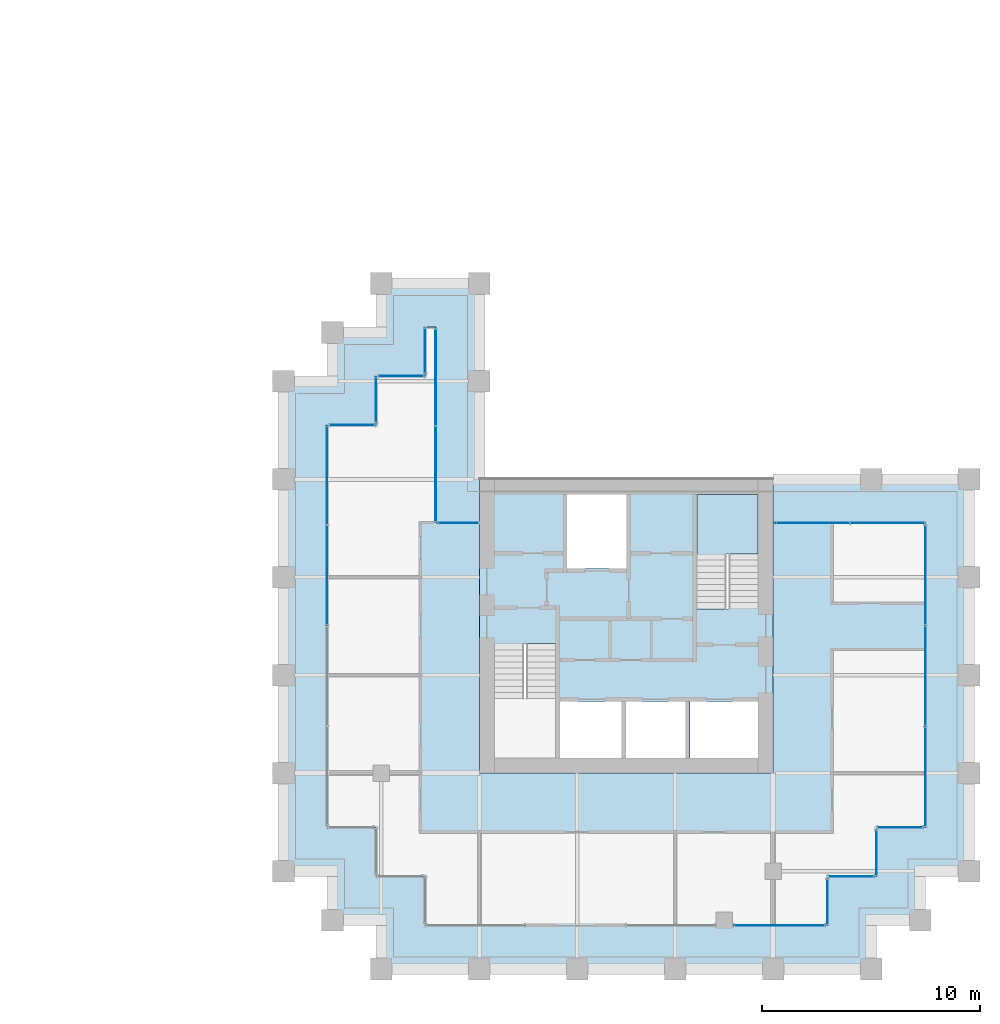
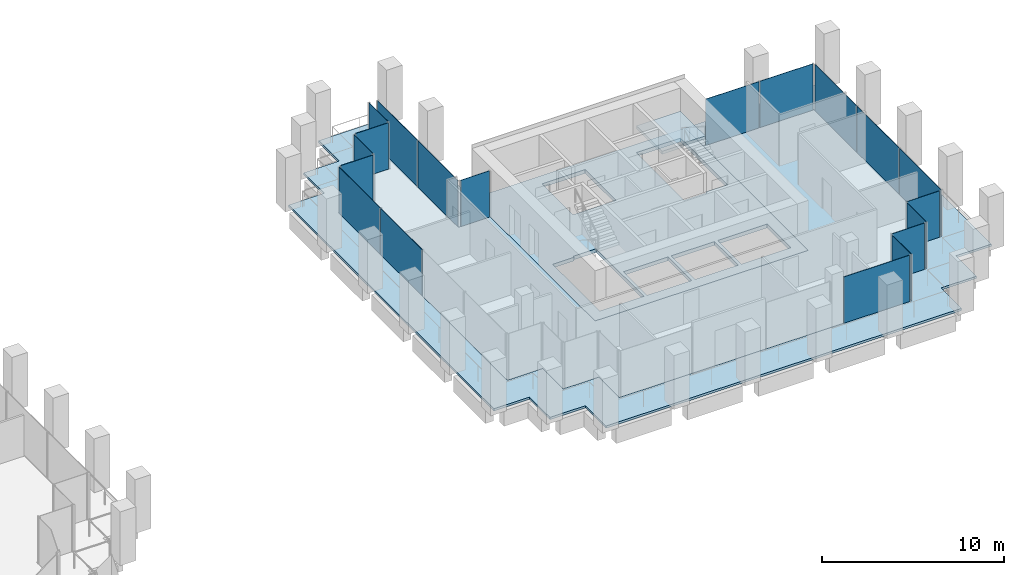
# One storey, part 40 of 47: 19 plates, 4 slabs, 15 elements without a shape of their own.
"""IFC4 building model written with IfcOpenShell, lengths in metres."""

import ifcopenshell
import ifcopenshell.guid

model = None  # the IFC model being written
_history = None  # IfcOwnerHistory: only IFC2X3 demands one
_inside = {}  # id of a spatial element -> (the spatial element, [elements in it])
_under = {}  # id of a project, library or spatial element -> (it, [spatial elements below it])
_declared = {}  # id of a project -> (the project, [libraries it declares])
_typed = {}  # id of a type object -> (the type object, [elements of that type])
_made_of = {}  # id of a material, layer set ... -> (it, [elements and type objects made of it])


def new_model(schema):
    """Start an empty IFC model of exactly this schema.

    Asked for "IFC4X3", IfcOpenShell would pick the latest addendum, in which some entities
    have other attributes; the version numbers below select the first issue.
    IFC2X3 requires an IfcOwnerHistory on every rooted entity: one is made here for all.
    """
    global model, _history
    if schema == "IFC4X3":
        model = ifcopenshell.file(schema_version=(4, 3, 0, 0))
    else:
        model = ifcopenshell.file(schema=schema)
    _inside.clear()
    _under.clear()
    _declared.clear()
    _typed.clear()
    _made_of.clear()
    _history = None
    if model.schema == "IFC2X3":
        org = make("IfcOrganization", Name="unknown")
        user = make(
            "IfcPersonAndOrganization",
            ThePerson=make("IfcPerson", FamilyName="unknown"),
            TheOrganization=org,
        )
        app = make(
            "IfcApplication",
            ApplicationDeveloper=org,
            Version="unknown",
            ApplicationFullName="unknown",
            ApplicationIdentifier="unknown",
        )
        _history = make(
            "IfcOwnerHistory",
            OwningUser=user,
            OwningApplication=app,
            ChangeAction="ADDED",
            CreationDate=0,
        )
    return model


def make(cls, **values):
    """One entity of the class cls with the attributes given. An attribute that is None is left unset."""
    return model.create_entity(
        cls, **{name: value for name, value in values.items() if value is not None}
    )


def rooted(cls, **values):
    """An entity with a GlobalId (a new one), such as an element, a storey or a relation."""
    return make(cls, GlobalId=ifcopenshell.guid.new(), OwnerHistory=_history, **values)


def si_unit(unit_type, name, prefix=None):
    """IfcSIUnit, for example si_unit("LENGTHUNIT", "METRE", prefix="MILLI")."""
    return make("IfcSIUnit", UnitType=unit_type, Prefix=prefix, Name=name)


def assignment(units):
    """IfcUnitAssignment: the units of a project."""
    return None if units is None else make("IfcUnitAssignment", Units=units)


def point(xyz):
    """IfcCartesianPoint."""
    return None if xyz is None else make("IfcCartesianPoint", Coordinates=xyz)


def direction(xyz):
    """IfcDirection."""
    return None if xyz is None else make("IfcDirection", DirectionRatios=xyz)


def frame(location, z_axis=None, x_axis=None):
    """IfcAxis2Placement3D, a coordinate frame: its origin and axes. An axis left out is left unset."""
    return make(
        "IfcAxis2Placement3D",
        Location=point(location),
        Axis=direction(z_axis),
        RefDirection=direction(x_axis),
    )


def frame_2d(location, x_axis=None):
    """IfcAxis2Placement2D, a coordinate frame in the plane: its origin and x axis."""
    return make(
        "IfcAxis2Placement2D", Location=point(location), RefDirection=direction(x_axis)
    )


def origin():
    """The frame at (0, 0, 0) with its axes left unset."""
    return frame((0.0, 0.0, 0.0))


def origin_2d():
    """The frame at (0, 0) in the plane with its x axis left unset."""
    return frame_2d((0.0, 0.0))


def place(relative_to, where):
    """IfcLocalPlacement: puts the frame where relative to a parent placement (None: the world)."""
    return make(
        "IfcLocalPlacement", PlacementRelTo=relative_to, RelativePlacement=where
    )


def context(
    kind, dimensions, precision=None, world=None, true_north=None, identifier=None
):
    """IfcGeometricRepresentationContext, for example the 3D "Model" context."""
    return make(
        "IfcGeometricRepresentationContext",
        ContextIdentifier=identifier,
        ContextType=kind,
        CoordinateSpaceDimension=dimensions,
        Precision=precision,
        WorldCoordinateSystem=world,
        TrueNorth=true_north,
    )


def subcontext(parent, identifier, kind, view, scale=None):
    """IfcGeometricRepresentationSubContext, for example "Body" below "Model"."""
    return make(
        "IfcGeometricRepresentationSubContext",
        ContextIdentifier=identifier,
        ContextType=kind,
        ParentContext=parent,
        TargetScale=scale,
        TargetView=view,
    )


def project(units=None, contexts=None):
    """IfcProject with its units and contexts."""
    return rooted(
        "IfcProject",
        Name="project",
        RepresentationContexts=contexts,
        UnitsInContext=assignment(units),
    )


def spatial(cls, under=None, at=None, **own):
    """A site, building, storey or space (cls), placed at a placement, below another one or the project."""
    s = rooted(cls, ObjectPlacement=at, **own)
    if under is not None:
        _under.setdefault(under.id(), (under, []))[1].append(s)
    return s


def polyline(points):
    """IfcPolyline through the points."""
    return make("IfcPolyline", Points=[point(p) for p in points])


def profile(cls, at=None, kind="AREA", **sizes):
    """A parametric profile (cls). Its sizes go by their IFC names, for example OverallWidth=200.0."""
    return make(cls, ProfileType=kind, Position=at, **sizes)


def rectangle(**sizes):
    """IfcRectangleProfileDef."""
    return profile("IfcRectangleProfileDef", **sizes)


def outline(outer, holes=None, kind="AREA"):
    """IfcArbitraryClosedProfileDef: a profile drawn as a closed curve; with holes, ...WithVoids."""
    if holes is None:
        return make("IfcArbitraryClosedProfileDef", ProfileType=kind, OuterCurve=outer)
    return make(
        "IfcArbitraryProfileDefWithVoids",
        ProfileType=kind,
        OuterCurve=outer,
        InnerCurves=holes,
    )


def extrude(swept, where, along, depth):
    """IfcExtrudedAreaSolid: the profile swept, set in the frame where, extruded along a direction by depth."""
    return make(
        "IfcExtrudedAreaSolid",
        SweptArea=swept,
        Position=where,
        ExtrudedDirection=direction(along),
        Depth=depth,
    )


def shape(context_of_items, identifier, shape_type, items):
    """IfcShapeRepresentation: the items that make up one representation, for example the "Body"."""
    return make(
        "IfcShapeRepresentation",
        ContextOfItems=context_of_items,
        RepresentationIdentifier=identifier,
        RepresentationType=shape_type,
        Items=items,
    )


def material(Name=None, Category=None):
    """IfcMaterial."""
    return make("IfcMaterial", Name=Name, Category=Category)


def layer(
    of_material, thickness, ventilated=None, Name=None, Category=None, Priority=None
):
    """IfcMaterialLayer: one layer of a wall or slab, of a material (None: an air gap)."""
    return make(
        "IfcMaterialLayer",
        Material=of_material,
        LayerThickness=thickness,
        IsVentilated=ventilated,
        Name=Name,
        Category=Category,
        Priority=Priority,
    )


def layer_set(layers, Name=None):
    """IfcMaterialLayerSet."""
    return make("IfcMaterialLayerSet", MaterialLayers=layers, LayerSetName=Name)


def made_of(thing, what):
    """Note that an element or type object is made of a material, layer set ...; save() writes the relation."""
    if what is not None:
        _made_of.setdefault(what.id(), (what, []))[1].append(thing)
    return thing


def type_object(cls, material=None, **own):
    """A type object (cls), such as IfcWallType, which elements share."""
    return made_of(rooted(cls, **own), material)


def element(
    cls,
    number,
    at=None,
    inside=None,
    cuts=None,
    type_object=None,
    material=None,
    context=None,
    identifier="Body",
    shape_type=None,
    held_by="IfcProductDefinitionShape",
    body=None,
    shapes=None,
    **own,
):
    """One element of the class cls, such as IfcWall. Its Tag is "e" and its number.

    at: its placement. inside: the storey or other place that contains it. cuts: it is an
    opening in that element (IfcRelVoidsElement). A single representation is given by context,
    identifier, shape_type and body (its items); several are given by shapes. held_by: the class
    of the entity that holds the representations. save() writes the other relations.
    """
    e = rooted(cls, Tag="e%d" % number, ObjectPlacement=at, **own)
    if body is not None:
        shapes = [shape(context, identifier, shape_type, body)]
    if shapes is not None:
        e.Representation = make(held_by, Representations=shapes)
    if inside is not None:
        _inside.setdefault(inside.id(), (inside, []))[1].append(e)
    if cuts is not None:
        rooted(
            "IfcRelVoidsElement", RelatingBuildingElement=cuts, RelatedOpeningElement=e
        )
    if type_object is not None:
        _typed.setdefault(type_object.id(), (type_object, []))[1].append(e)
    return made_of(e, material)


def aggregate(whole, parts):
    """IfcRelAggregates: a whole, such as a stair, and the parts it consists of."""
    return rooted("IfcRelAggregates", RelatingObject=whole, RelatedObjects=parts)


def save(model, path):
    """Write the relations noted so far, then the file.

    IfcRelAggregates (storeys below a building ...), IfcRelContainedInSpatialStructure (elements
    in a storey), IfcRelDefinesByType, IfcRelAssociatesMaterial and IfcRelDeclares: one each for
    every whole, place, type object, material and project.
    """
    for whole, parts in _under.values():
        aggregate(whole, parts)
    for where, things in _inside.values():
        rooted(
            "IfcRelContainedInSpatialStructure",
            RelatedElements=things,
            RelatingStructure=where,
        )
    for kind, things in _typed.values():
        rooted("IfcRelDefinesByType", RelatedObjects=things, RelatingType=kind)
    for what, things in _made_of.values():
        rooted("IfcRelAssociatesMaterial", RelatedObjects=things, RelatingMaterial=what)
    for by, libraries in _declared.values():
        rooted("IfcRelDeclares", RelatingContext=by, RelatedDefinitions=libraries)
    model.write(path)


model = new_model("IFC4")

# Units and contexts
model_context = context("Model", 3, precision=1e-05, world=origin(), true_north=direction((0.0, 1.0)))
body_context = subcontext(model_context, "Body", "Model", "MODEL_VIEW")
ifc_project = project(units=[si_unit("LENGTHUNIT", "METRE"), si_unit("AREAUNIT", "SQUARE_METRE"), si_unit("VOLUMEUNIT", "CUBIC_METRE"), si_unit("PLANEANGLEUNIT", "RADIAN"), si_unit("MASSUNIT", "GRAM", prefix="KILO")], contexts=[model_context])

# Site, building, storey
site_placement = place(None, origin())
site = spatial("IfcSite", under=ifc_project, at=site_placement, CompositionType="ELEMENT")
building_placement = place(site_placement, origin())
building = spatial("IfcBuilding", under=site, at=building_placement, Name="Altepetl Exchange Towers", CompositionType="ELEMENT")
storey_placement = place(building_placement, frame((0.0, 0.0, 95.60009765625)))
storey = spatial("IfcBuildingStorey", under=building, at=storey_placement, Name="L23", CompositionType="ELEMENT", Elevation=95.60009765625)

# Slabs
ifc_material_1 = material(Name="Concrete C40/50", Category="concrete")
ifc_layer_1 = layer(ifc_material_1, 0.14990234375)
ifc_layer_set_1 = layer_set([ifc_layer_1], Name="Concrete C40/50")
slab_type_1 = type_object("IfcSlabType", Name="Composite floor slab 150", PredefinedType="FLOOR", material=ifc_layer_set_1)
slab_1_placement = place(storey_placement, frame((0.0, 0.0, -0.150146484375)))
element("IfcSlab", 1, at=slab_1_placement, inside=storey, type_object=slab_type_1, Name="slab:B:L23:strip0", PredefinedType="FLOOR", context=body_context, shape_type="SweptSolid", body=[
    extrude(outline(polyline([(98.75, 54.25), (98.75, 52.0), (96.5, 52.0), (96.5, 33.5), (98.75, 33.5), (98.75, 31.25), (101.0, 31.25), (101.0, 29.0), (119.5, 29.0), (119.5, 31.25), (121.75, 31.25), (121.75, 33.5), (124.0, 33.5), (124.0, 47.5), (117.0, 47.5), (117.0, 36.0), (103.5, 36.0), (103.5, 47.5), (101.5, 47.5), (101.5, 56.5), (101.0, 56.5), (101.0, 54.25), (98.75, 54.25)])), origin(), (0.0, 0.0, 1.0), 0.150146484375),
])
ifc_layer_2 = layer(ifc_material_1, 0.25)
ifc_layer_set_2 = layer_set([ifc_layer_2], Name="Concrete C40/50")
slab_type_2 = type_object("IfcSlabType", Name="Core floor slab 250", PredefinedType="FLOOR", material=ifc_layer_set_2)
slab_2_placement = place(storey_placement, frame((0.0, 0.0, -0.25)))
element("IfcSlab", 2, at=slab_2_placement, inside=storey, type_object=slab_type_2, Name="slab:B:L23:core0", PredefinedType="FLOOR", context=body_context, shape_type="SweptSolid", body=[
    extrude(outline(polyline([(103.5, 36.0), (117.0, 36.0), (117.0, 49.5), (103.5, 49.5), (103.5, 36.0)]), holes=[polyline([(107.199951171875, 36.699951171875), (107.199951171875, 39.300048828125), (110.032958984375, 39.300048828125), (110.032958984375, 36.699951171875), (107.199951171875, 36.699951171875)]), polyline([(110.23291015625, 39.300048828125), (112.967041015625, 39.300048828125), (112.967041015625, 36.699951171875), (110.23291015625, 36.699951171875), (110.23291015625, 39.300048828125)]), polyline([(113.1669921875, 39.300048828125), (116.300048828125, 39.300048828125), (116.300048828125, 36.699951171875), (113.1669921875, 36.699951171875), (113.1669921875, 39.300048828125)]), polyline([(107.0, 36.699951171875), (104.199951171875, 36.699951171875), (104.199951171875, 41.85009765625), (105.550048828125, 41.85009765625), (105.550048828125, 41.948974609375), (107.0, 41.948974609375), (107.0, 36.699951171875)]), polyline([(116.300048828125, 48.800048828125), (116.300048828125, 43.64990234375), (114.949951171875, 43.64990234375), (114.949951171875, 43.551025390625), (113.5, 43.551025390625), (113.5, 48.800048828125), (116.300048828125, 48.800048828125)]), polyline([(107.532958984375, 48.800048828125), (110.26708984375, 48.800048828125), (110.26708984375, 45.39990234375), (107.532958984375, 45.39990234375), (107.532958984375, 48.800048828125)])]), origin(), (0.0, 0.0, 1.0), 0.25),
])

# Curtain wall, plate
ifc_material_2 = material(Name="Aluminium 6063-T6 glazing", Category="aluminium")
curtain_wall_type = type_object("IfcCurtainWallType", Name="Loggia glazing system", PredefinedType="NOTDEFINED", material=ifc_material_2)
curtain_wall_1_placement = place(storey_placement, origin())
curtain_wall_1 = element("IfcCurtainWall", 3, at=curtain_wall_1_placement, inside=storey, type_object=curtain_wall_type, Name="CW1 run", PredefinedType="NOTDEFINED")
ifc_material_3 = material(Name="Glass 6-16-6 low emissivity", Category="glass")
ifc_layer_3 = layer(ifc_material_3, 0.028076171875)
ifc_layer_set_3 = layer_set([ifc_layer_3], Name="Glass 6-16-6 low emissivity")
plate_type = type_object("IfcPlateType", Name="Glass panel 28 double glazed", PredefinedType="CURTAIN_PANEL", material=ifc_layer_set_3)
plate_1_placement = place(storey_placement, frame((97.66259765625, 52.0, -0.000244140625), z_axis=(0.0, 0.0, 1.0), x_axis=(-1.0, 0.0, 0.0)))
plate_1 = element("IfcPlate", 4, at=plate_1_placement, type_object=plate_type, Name="GP1 panel", PredefinedType="CURTAIN_PANEL", context=body_context, shape_type="SweptSolid", body=[
    extrude(rectangle(XDim=2.054931640625, YDim=0.028076171875, at=origin_2d()), origin(), (0.0, 0.0, 1.0), 3.10009765625),
])
aggregate(curtain_wall_1, [plate_1])

# Curtain wall, plates
curtain_wall_2_placement = place(storey_placement, origin())
curtain_wall_2 = element("IfcCurtainWall", 5, at=curtain_wall_2_placement, inside=storey, type_object=curtain_wall_type, Name="CW1 run", PredefinedType="NOTDEFINED")
plate_2_placement = place(storey_placement, frame((96.5, 49.681884765625, -0.000244140625), z_axis=(0.0, 0.0, 1.0), x_axis=(0.0, -1.0, 0.0)))
plate_2 = element("IfcPlate", 6, at=plate_2_placement, type_object=plate_type, Name="GP1 panel", PredefinedType="CURTAIN_PANEL", context=body_context, shape_type="SweptSolid", body=[
    extrude(rectangle(XDim=4.516357421875, YDim=0.028076171875, at=origin_2d()), origin(), (0.0, 0.0, 1.0), 3.10009765625),
])
plate_3_placement = place(storey_placement, frame((96.5, 45.090576171875, -0.000244140625), z_axis=(0.0, 0.0, 1.0), x_axis=(0.0, -1.0, 0.0)))
plate_3 = element("IfcPlate", 7, at=plate_3_placement, type_object=plate_type, Name="GP1 panel", PredefinedType="CURTAIN_PANEL", context=body_context, shape_type="SweptSolid", body=[
    extrude(rectangle(XDim=4.546142578125, YDim=0.028076171875, at=origin_2d()), origin(), (0.0, 0.0, 1.0), 3.10009765625),
])
aggregate(curtain_wall_2, [plate_2, plate_3])

# Curtain wall, plate
curtain_wall_3_placement = place(storey_placement, origin())
curtain_wall_3 = element("IfcCurtainWall", 8, at=curtain_wall_3_placement, inside=storey, type_object=curtain_wall_type, Name="CW1 run", PredefinedType="NOTDEFINED")
plate_4_placement = place(storey_placement, frame((117.284912109375, 29.0, -0.000244140625)))
plate_4 = element("IfcPlate", 9, at=plate_4_placement, type_object=plate_type, Name="GP1 panel", PredefinedType="CURTAIN_PANEL", context=body_context, shape_type="SweptSolid", body=[
    extrude(rectangle(XDim=4.159912109375, YDim=0.028076171875, at=origin_2d()), origin(), (0.0, 0.0, 1.0), 3.10009765625),
])
aggregate(curtain_wall_3, [plate_4])

curtain_wall_4_placement = place(storey_placement, origin())
curtain_wall_4 = element("IfcCurtainWall", 10, at=curtain_wall_4_placement, inside=storey, type_object=curtain_wall_type, Name="CW1 run", PredefinedType="NOTDEFINED")
plate_5_placement = place(storey_placement, frame((119.5, 30.08740234375, -0.000244140625), z_axis=(0.0, 0.0, 1.0), x_axis=(0.0, 1.0, 0.0)))
plate_5 = element("IfcPlate", 11, at=plate_5_placement, type_object=plate_type, Name="GP1 panel", PredefinedType="CURTAIN_PANEL", context=body_context, shape_type="SweptSolid", body=[
    extrude(rectangle(XDim=2.054931640625, YDim=0.028076171875, at=origin_2d()), origin(), (0.0, 0.0, 1.0), 3.10009765625),
])
aggregate(curtain_wall_4, [plate_5])

curtain_wall_5_placement = place(storey_placement, origin())
curtain_wall_5 = element("IfcCurtainWall", 12, at=curtain_wall_5_placement, inside=storey, type_object=curtain_wall_type, Name="CW1 run", PredefinedType="NOTDEFINED")
plate_6_placement = place(storey_placement, frame((120.58740234375, 31.25, -0.000244140625)))
plate_6 = element("IfcPlate", 13, at=plate_6_placement, type_object=plate_type, Name="GP1 panel", PredefinedType="CURTAIN_PANEL", context=body_context, shape_type="SweptSolid", body=[
    extrude(rectangle(XDim=2.054931640625, YDim=0.028076171875, at=origin_2d()), origin(), (0.0, 0.0, 1.0), 3.10009765625),
])
aggregate(curtain_wall_5, [plate_6])

curtain_wall_6_placement = place(storey_placement, origin())
curtain_wall_6 = element("IfcCurtainWall", 14, at=curtain_wall_6_placement, inside=storey, type_object=curtain_wall_type, Name="CW1 run", PredefinedType="NOTDEFINED")
plate_7_placement = place(storey_placement, frame((121.75, 32.33740234375, -0.000244140625), z_axis=(0.0, 0.0, 1.0), x_axis=(0.0, 1.0, 0.0)))
plate_7 = element("IfcPlate", 15, at=plate_7_placement, type_object=plate_type, Name="GP1 panel", PredefinedType="CURTAIN_PANEL", context=body_context, shape_type="SweptSolid", body=[
    extrude(rectangle(XDim=2.054931640625, YDim=0.028076171875, at=origin_2d()), origin(), (0.0, 0.0, 1.0), 3.10009765625),
])
aggregate(curtain_wall_6, [plate_7])

curtain_wall_7_placement = place(storey_placement, origin())
curtain_wall_7 = element("IfcCurtainWall", 16, at=curtain_wall_7_placement, inside=storey, type_object=curtain_wall_type, Name="CW1 run", PredefinedType="NOTDEFINED")
plate_8_placement = place(storey_placement, frame((122.83740234375, 33.5, -0.000244140625)))
plate_8 = element("IfcPlate", 17, at=plate_8_placement, type_object=plate_type, Name="GP1 panel", PredefinedType="CURTAIN_PANEL", context=body_context, shape_type="SweptSolid", body=[
    extrude(rectangle(XDim=2.054931640625, YDim=0.028076171875, at=origin_2d()), origin(), (0.0, 0.0, 1.0), 3.10009765625),
])
aggregate(curtain_wall_7, [plate_8])

# Curtain wall, plates
curtain_wall_8_placement = place(storey_placement, origin())
curtain_wall_8 = element("IfcCurtainWall", 18, at=curtain_wall_8_placement, inside=storey, type_object=curtain_wall_type, Name="CW1 run", PredefinedType="NOTDEFINED")
plate_9_placement = place(storey_placement, frame((124.0, 35.8359375, -0.000244140625), z_axis=(0.0, 0.0, 1.0), x_axis=(0.0, 1.0, 0.0)))
plate_9 = element("IfcPlate", 19, at=plate_9_placement, type_object=plate_type, Name="GP1 panel", PredefinedType="CURTAIN_PANEL", context=body_context, shape_type="SweptSolid", body=[
    extrude(rectangle(XDim=4.5517578125, YDim=0.028076171875, at=origin_2d()), origin(), (0.0, 0.0, 1.0), 3.10009765625),
])
plate_10_placement = place(storey_placement, frame((124.0, 40.46240234375, -0.000244140625), z_axis=(0.0, 0.0, 1.0), x_axis=(0.0, 1.0, 0.0)))
plate_10 = element("IfcPlate", 20, at=plate_10_placement, type_object=plate_type, Name="GP1 panel", PredefinedType="CURTAIN_PANEL", context=body_context, shape_type="SweptSolid", body=[
    extrude(rectangle(XDim=4.581787109375, YDim=0.028076171875, at=origin_2d()), origin(), (0.0, 0.0, 1.0), 3.10009765625),
])
plate_11_placement = place(storey_placement, frame((124.0, 45.089111328125, -0.000244140625), z_axis=(0.0, 0.0, 1.0), x_axis=(0.0, 1.0, 0.0)))
plate_11 = element("IfcPlate", 21, at=plate_11_placement, type_object=plate_type, Name="GP1 panel", PredefinedType="CURTAIN_PANEL", context=body_context, shape_type="SweptSolid", body=[
    extrude(rectangle(XDim=4.5517578125, YDim=0.028076171875, at=origin_2d()), origin(), (0.0, 0.0, 1.0), 3.10009765625),
])
aggregate(curtain_wall_8, [plate_9, plate_10, plate_11])

curtain_wall_9_placement = place(storey_placement, origin())
curtain_wall_9 = element("IfcCurtainWall", 22, at=curtain_wall_9_placement, inside=storey, type_object=curtain_wall_type, Name="CW1 run", PredefinedType="NOTDEFINED")
plate_12_placement = place(storey_placement, frame((122.253662109375, 47.5, -0.000244140625), z_axis=(0.0, 0.0, 1.0), x_axis=(-1.0, 0.0, 0.0)))
plate_12 = element("IfcPlate", 23, at=plate_12_placement, type_object=plate_type, Name="GP1 panel", PredefinedType="CURTAIN_PANEL", context=body_context, shape_type="SweptSolid", body=[
    extrude(rectangle(XDim=3.37255859375, YDim=0.028076171875, at=origin_2d()), origin(), (0.0, 0.0, 1.0), 3.10009765625),
])
plate_13_placement = place(storey_placement, frame((118.8212890625, 47.5, -0.000244140625), z_axis=(0.0, 0.0, 1.0), x_axis=(-1.0, 0.0, 0.0)))
plate_13 = element("IfcPlate", 24, at=plate_13_placement, type_object=plate_type, Name="GP1 panel", PredefinedType="CURTAIN_PANEL", context=body_context, shape_type="SweptSolid", body=[
    extrude(rectangle(XDim=3.37255859375, YDim=0.028076171875, at=origin_2d()), origin(), (0.0, 0.0, 1.0), 3.10009765625),
])
aggregate(curtain_wall_9, [plate_12, plate_13])

# Curtain wall, plate
curtain_wall_10_placement = place(storey_placement, origin())
curtain_wall_10 = element("IfcCurtainWall", 25, at=curtain_wall_10_placement, inside=storey, type_object=curtain_wall_type, Name="CW1 run", PredefinedType="NOTDEFINED")
plate_14_placement = place(storey_placement, frame((102.53759765625, 47.5, -0.000244140625), z_axis=(0.0, 0.0, 1.0), x_axis=(-1.0, 0.0, 0.0)))
plate_14 = element("IfcPlate", 26, at=plate_14_placement, type_object=plate_type, Name="GP1 panel", PredefinedType="CURTAIN_PANEL", context=body_context, shape_type="SweptSolid", body=[
    extrude(rectangle(XDim=1.804931640625, YDim=0.028076171875, at=origin_2d()), origin(), (0.0, 0.0, 1.0), 3.10009765625),
])
aggregate(curtain_wall_10, [plate_14])

# Curtain wall, plates
curtain_wall_11_placement = place(storey_placement, origin())
curtain_wall_11 = element("IfcCurtainWall", 27, at=curtain_wall_11_placement, inside=storey, type_object=curtain_wall_type, Name="CW1 run", PredefinedType="NOTDEFINED")
plate_15_placement = place(storey_placement, frame((101.5, 49.746337890625, -0.000244140625), z_axis=(0.0, 0.0, 1.0), x_axis=(0.0, 1.0, 0.0)))
plate_15 = element("IfcPlate", 28, at=plate_15_placement, type_object=plate_type, Name="GP1 panel", PredefinedType="CURTAIN_PANEL", context=body_context, shape_type="SweptSolid", body=[
    extrude(rectangle(XDim=4.37255859375, YDim=0.028076171875, at=origin_2d()), origin(), (0.0, 0.0, 1.0), 3.10009765625),
])
plate_16_placement = place(storey_placement, frame((101.5, 54.1787109375, -0.000244140625), z_axis=(0.0, 0.0, 1.0), x_axis=(0.0, 1.0, 0.0)))
plate_16 = element("IfcPlate", 29, at=plate_16_placement, type_object=plate_type, Name="GP1 panel", PredefinedType="CURTAIN_PANEL", context=body_context, shape_type="SweptSolid", body=[
    extrude(rectangle(XDim=4.37255859375, YDim=0.028076171875, at=origin_2d()), origin(), (0.0, 0.0, 1.0), 3.10009765625),
])
aggregate(curtain_wall_11, [plate_15, plate_16])

# Curtain wall, plate
curtain_wall_12_placement = place(storey_placement, origin())
curtain_wall_12 = element("IfcCurtainWall", 30, at=curtain_wall_12_placement, inside=storey, type_object=curtain_wall_type, Name="CW1 run", PredefinedType="NOTDEFINED")
plate_17_placement = place(storey_placement, frame((101.0, 55.41259765625, -0.000244140625), z_axis=(0.0, 0.0, 1.0), x_axis=(0.0, -1.0, 0.0)))
plate_17 = element("IfcPlate", 31, at=plate_17_placement, type_object=plate_type, Name="GP1 panel", PredefinedType="CURTAIN_PANEL", context=body_context, shape_type="SweptSolid", body=[
    extrude(rectangle(XDim=2.054931640625, YDim=0.028076171875, at=origin_2d()), origin(), (0.0, 0.0, 1.0), 3.10009765625),
])
aggregate(curtain_wall_12, [plate_17])

curtain_wall_13_placement = place(storey_placement, origin())
curtain_wall_13 = element("IfcCurtainWall", 32, at=curtain_wall_13_placement, inside=storey, type_object=curtain_wall_type, Name="CW1 run", PredefinedType="NOTDEFINED")
plate_18_placement = place(storey_placement, frame((99.91259765625, 54.25, -0.000244140625), z_axis=(0.0, 0.0, 1.0), x_axis=(-1.0, 0.0, 0.0)))
plate_18 = element("IfcPlate", 33, at=plate_18_placement, type_object=plate_type, Name="GP1 panel", PredefinedType="CURTAIN_PANEL", context=body_context, shape_type="SweptSolid", body=[
    extrude(rectangle(XDim=2.054931640625, YDim=0.028076171875, at=origin_2d()), origin(), (0.0, 0.0, 1.0), 3.10009765625),
])
aggregate(curtain_wall_13, [plate_18])

curtain_wall_14_placement = place(storey_placement, origin())
curtain_wall_14 = element("IfcCurtainWall", 34, at=curtain_wall_14_placement, inside=storey, type_object=curtain_wall_type, Name="CW1 run", PredefinedType="NOTDEFINED")
plate_19_placement = place(storey_placement, frame((98.75, 53.16259765625, -0.000244140625), z_axis=(0.0, 0.0, 1.0), x_axis=(0.0, -1.0, 0.0)))
plate_19 = element("IfcPlate", 35, at=plate_19_placement, type_object=plate_type, Name="GP1 panel", PredefinedType="CURTAIN_PANEL", context=body_context, shape_type="SweptSolid", body=[
    extrude(rectangle(XDim=2.054931640625, YDim=0.028076171875, at=origin_2d()), origin(), (0.0, 0.0, 1.0), 3.10009765625),
])
aggregate(curtain_wall_14, [plate_19])

# Slab
ifc_layer_4 = layer(ifc_material_1, 0.14990234375)
ifc_layer_set_4 = layer_set([ifc_layer_4], Name="Concrete C40/50")
slab_type_3 = type_object("IfcSlabType", Name="Loggia slab 150", PredefinedType="FLOOR", material=ifc_layer_set_4)
slab_3_placement = place(storey_placement, frame((0.0, 0.0, -0.150146484375)))
element("IfcSlab", 36, at=slab_3_placement, inside=storey, type_object=slab_type_3, Name="slab:B:L23:loggia0", PredefinedType="FLOOR", context=body_context, shape_type="SweptSolid", body=[
    extrude(outline(polyline([(96.75, 54.0), (94.5, 54.0), (94.5, 36.0), (94.5, 31.5), (96.75, 31.5), (96.75, 29.25), (99.0, 29.25), (99.0, 27.0), (117.0, 27.0), (121.5, 27.0), (121.5, 29.25), (123.75, 29.25), (123.75, 31.5), (126.0, 31.5), (126.0, 49.5), (117.0, 49.5), (117.0, 47.5), (124.0, 47.5), (124.0, 33.5), (121.75, 33.5), (121.75, 31.25), (119.5, 31.25), (119.5, 29.0), (101.0, 29.0), (101.0, 31.25), (98.75, 31.25), (98.75, 33.5), (96.5, 33.5), (96.5, 52.0), (98.75, 52.0), (98.75, 54.25), (101.0, 54.25), (101.0, 56.5), (101.5, 56.5), (101.5, 47.5), (103.5, 47.5), (103.5, 49.5), (103.5, 58.5), (99.0, 58.5), (99.0, 56.25), (96.75, 56.25), (96.75, 54.0)])), origin(), (0.0, 0.0, 1.0), 0.150146484375),
])

# Stair, slab
stair_type = type_object("IfcStairType", Name="Exit stair 1350 flights dogleg", PredefinedType="HALF_TURN_STAIR", material=ifc_material_1)
stair_placement = place(storey_placement, origin())
stair = element("IfcStair", 37, at=stair_placement, inside=storey, type_object=stair_type, Name="Exit stair 2", PredefinedType="HALF_TURN_STAIR")
ifc_layer_5 = layer(ifc_material_1, 0.199951171875)
ifc_layer_set_5 = layer_set([ifc_layer_5], Name="Concrete C40/50")
slab_type_4 = type_object("IfcSlabType", Name="Stair landing 200 reinforced concrete", PredefinedType="LANDING", material=ifc_layer_set_5)
slab_4_placement = place(storey_placement, frame((0.0, 0.0, 1.599853515625)))
slab_4 = element("IfcSlab", 38, at=slab_4_placement, type_object=slab_type_4, Name="ST-B2d landing 1", PredefinedType="LANDING", context=body_context, shape_type="SweptSolid", body=[
    extrude(outline(polyline([(114.85009765625, 45.969970703125), (113.5, 45.969970703125), (113.5, 46.070068359375), (113.5, 48.800048828125), (116.300048828125, 48.800048828125), (116.300048828125, 46.070068359375), (116.300048828125, 46.0693359375), (114.949951171875, 46.0693359375), (114.949951171875, 46.070068359375), (114.85009765625, 46.070068359375), (114.85009765625, 45.969970703125)])), origin(), (0.0, 0.0, 1.0), 0.199951171875),
])
aggregate(stair, [slab_4])

save(model, "model.ifc")
